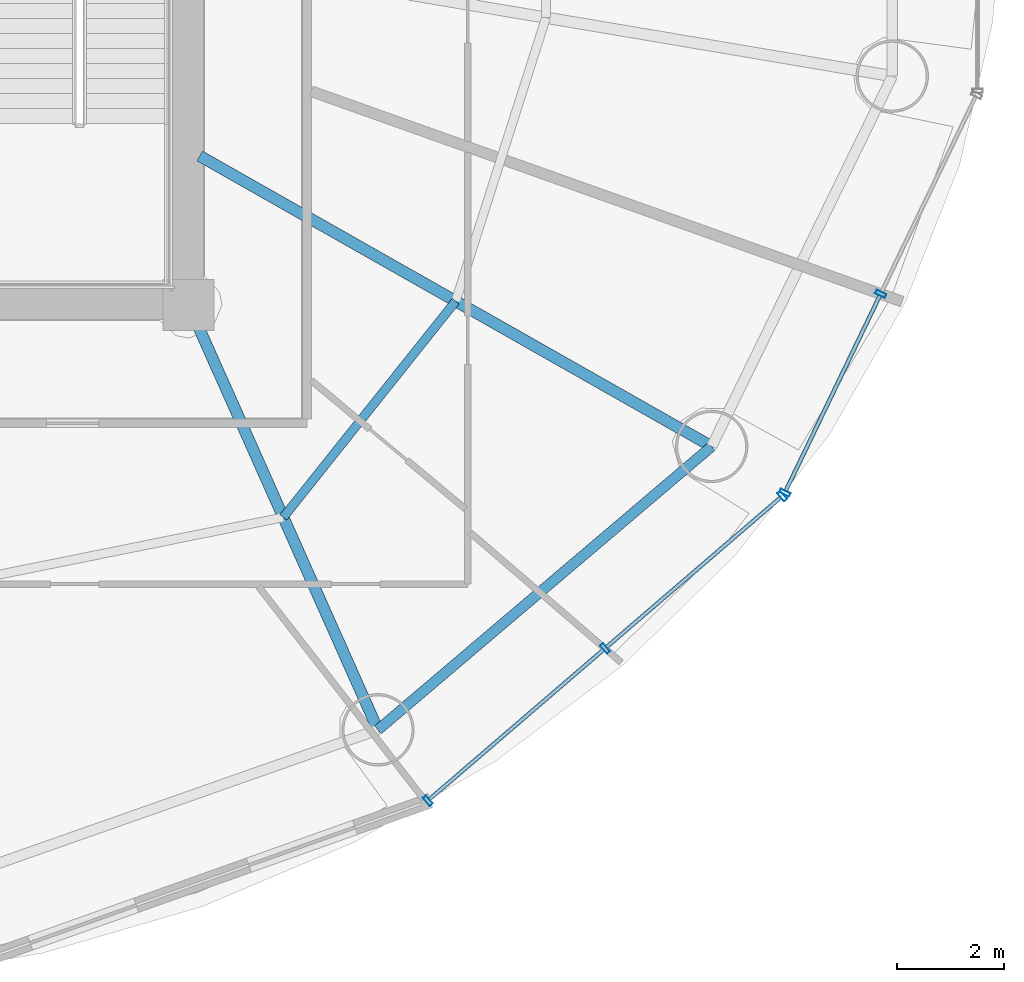
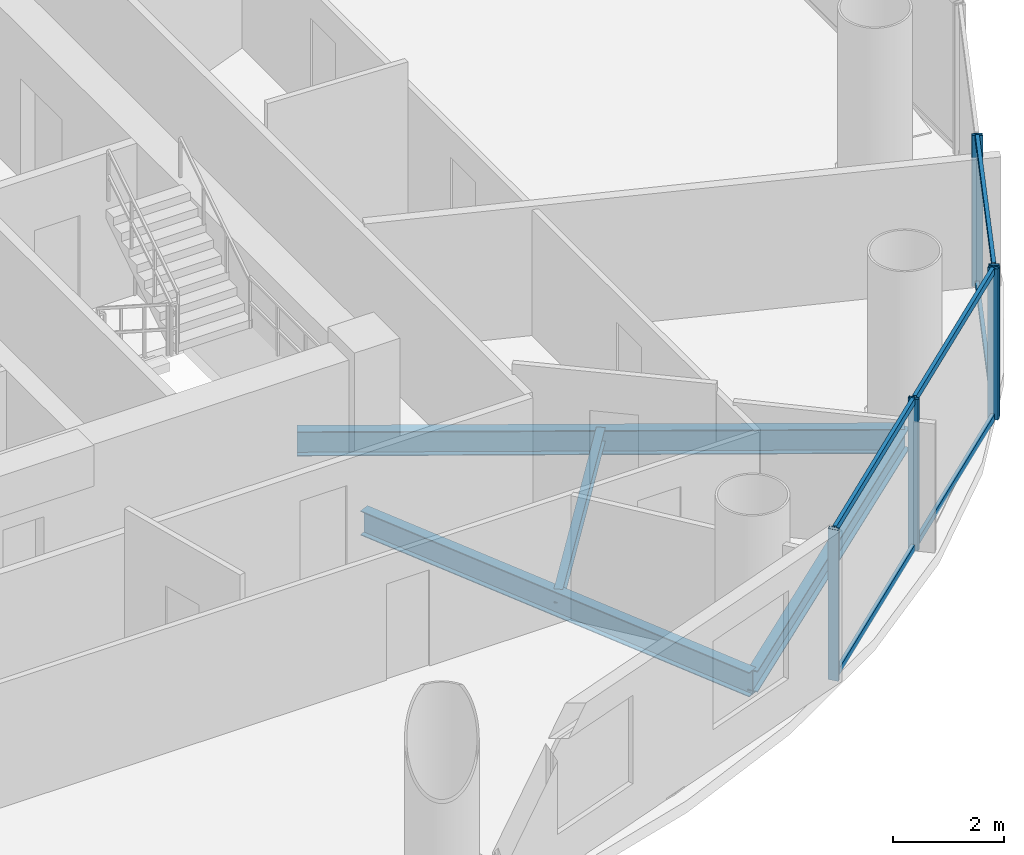
# One storey, part 10 of 26: 11 members, 4 beams, 2 elements without a shape of their own.
"""IFC4 building model written with IfcOpenShell, lengths in metres."""

import ifcopenshell
import ifcopenshell.guid

model = None  # the IFC model being written
_history = None  # IfcOwnerHistory: only IFC2X3 demands one
_inside = {}  # id of a spatial element -> (the spatial element, [elements in it])
_under = {}  # id of a project, library or spatial element -> (it, [spatial elements below it])
_declared = {}  # id of a project -> (the project, [libraries it declares])
_typed = {}  # id of a type object -> (the type object, [elements of that type])
_made_of = {}  # id of a material, layer set ... -> (it, [elements and type objects made of it])


def new_model(schema):
    """Start an empty IFC model of exactly this schema.

    Asked for "IFC4X3", IfcOpenShell would pick the latest addendum, in which some entities
    have other attributes; the version numbers below select the first issue.
    IFC2X3 requires an IfcOwnerHistory on every rooted entity: one is made here for all.
    """
    global model, _history
    if schema == "IFC4X3":
        model = ifcopenshell.file(schema_version=(4, 3, 0, 0))
    else:
        model = ifcopenshell.file(schema=schema)
    _inside.clear()
    _under.clear()
    _declared.clear()
    _typed.clear()
    _made_of.clear()
    _history = None
    if model.schema == "IFC2X3":
        org = make("IfcOrganization", Name="unknown")
        user = make(
            "IfcPersonAndOrganization",
            ThePerson=make("IfcPerson", FamilyName="unknown"),
            TheOrganization=org,
        )
        app = make(
            "IfcApplication",
            ApplicationDeveloper=org,
            Version="unknown",
            ApplicationFullName="unknown",
            ApplicationIdentifier="unknown",
        )
        _history = make(
            "IfcOwnerHistory",
            OwningUser=user,
            OwningApplication=app,
            ChangeAction="ADDED",
            CreationDate=0,
        )
    return model


def make(cls, **values):
    """One entity of the class cls with the attributes given. An attribute that is None is left unset."""
    return model.create_entity(
        cls, **{name: value for name, value in values.items() if value is not None}
    )


def rooted(cls, **values):
    """An entity with a GlobalId (a new one), such as an element, a storey or a relation."""
    return make(cls, GlobalId=ifcopenshell.guid.new(), OwnerHistory=_history, **values)


def si_unit(unit_type, name, prefix=None):
    """IfcSIUnit, for example si_unit("LENGTHUNIT", "METRE", prefix="MILLI")."""
    return make("IfcSIUnit", UnitType=unit_type, Prefix=prefix, Name=name)


def assignment(units):
    """IfcUnitAssignment: the units of a project."""
    return None if units is None else make("IfcUnitAssignment", Units=units)


def point(xyz):
    """IfcCartesianPoint."""
    return None if xyz is None else make("IfcCartesianPoint", Coordinates=xyz)


def direction(xyz):
    """IfcDirection."""
    return None if xyz is None else make("IfcDirection", DirectionRatios=xyz)


def frame(location, z_axis=None, x_axis=None):
    """IfcAxis2Placement3D, a coordinate frame: its origin and axes. An axis left out is left unset."""
    return make(
        "IfcAxis2Placement3D",
        Location=point(location),
        Axis=direction(z_axis),
        RefDirection=direction(x_axis),
    )


def frame_2d(location, x_axis=None):
    """IfcAxis2Placement2D, a coordinate frame in the plane: its origin and x axis."""
    return make(
        "IfcAxis2Placement2D", Location=point(location), RefDirection=direction(x_axis)
    )


def origin():
    """The frame at (0, 0, 0) with its axes left unset."""
    return frame((0.0, 0.0, 0.0))


def origin_2d():
    """The frame at (0, 0) in the plane with its x axis left unset."""
    return frame_2d((0.0, 0.0))


def place(relative_to, where):
    """IfcLocalPlacement: puts the frame where relative to a parent placement (None: the world)."""
    return make(
        "IfcLocalPlacement", PlacementRelTo=relative_to, RelativePlacement=where
    )


def context(
    kind, dimensions, precision=None, world=None, true_north=None, identifier=None
):
    """IfcGeometricRepresentationContext, for example the 3D "Model" context."""
    return make(
        "IfcGeometricRepresentationContext",
        ContextIdentifier=identifier,
        ContextType=kind,
        CoordinateSpaceDimension=dimensions,
        Precision=precision,
        WorldCoordinateSystem=world,
        TrueNorth=true_north,
    )


def subcontext(parent, identifier, kind, view, scale=None):
    """IfcGeometricRepresentationSubContext, for example "Body" below "Model"."""
    return make(
        "IfcGeometricRepresentationSubContext",
        ContextIdentifier=identifier,
        ContextType=kind,
        ParentContext=parent,
        TargetScale=scale,
        TargetView=view,
    )


def project(units=None, contexts=None):
    """IfcProject with its units and contexts."""
    return rooted(
        "IfcProject",
        Name="project",
        RepresentationContexts=contexts,
        UnitsInContext=assignment(units),
    )


def spatial(cls, under=None, at=None, **own):
    """A site, building, storey or space (cls), placed at a placement, below another one or the project."""
    s = rooted(cls, ObjectPlacement=at, **own)
    if under is not None:
        _under.setdefault(under.id(), (under, []))[1].append(s)
    return s


def profile(cls, at=None, kind="AREA", **sizes):
    """A parametric profile (cls). Its sizes go by their IFC names, for example OverallWidth=200.0."""
    return make(cls, ProfileType=kind, Position=at, **sizes)


def hollow_rectangle(**sizes):
    """IfcRectangleHollowProfileDef."""
    return profile("IfcRectangleHollowProfileDef", **sizes)


def i_section(**sizes):
    """IfcIShapeProfileDef."""
    return profile("IfcIShapeProfileDef", **sizes)


def extrude(swept, where, along, depth):
    """IfcExtrudedAreaSolid: the profile swept, set in the frame where, extruded along a direction by depth."""
    return make(
        "IfcExtrudedAreaSolid",
        SweptArea=swept,
        Position=where,
        ExtrudedDirection=direction(along),
        Depth=depth,
    )


def shape(context_of_items, identifier, shape_type, items):
    """IfcShapeRepresentation: the items that make up one representation, for example the "Body"."""
    return make(
        "IfcShapeRepresentation",
        ContextOfItems=context_of_items,
        RepresentationIdentifier=identifier,
        RepresentationType=shape_type,
        Items=items,
    )


def source(mapping_origin, context_of_items, identifier, shape_type, items):
    """IfcRepresentationMap: a shape defined once, which mapped items show again and again."""
    return make(
        "IfcRepresentationMap",
        MappingOrigin=mapping_origin,
        MappedRepresentation=shape(context_of_items, identifier, shape_type, items),
    )


def transform(
    local_origin,
    x_axis=None,
    y_axis=None,
    z_axis=None,
    scale=None,
    scale2=None,
    scale3=None,
    uniform=True,
):
    """IfcCartesianTransformationOperator3D, or its non-uniform kind. x_axis, y_axis, z_axis: its Axis1, 2, 3."""
    if uniform:
        return make(
            "IfcCartesianTransformationOperator3D",
            Axis1=direction(x_axis),
            Axis2=direction(y_axis),
            LocalOrigin=point(local_origin),
            Scale=scale,
            Axis3=direction(z_axis),
        )
    return make(
        "IfcCartesianTransformationOperator3DnonUniform",
        Axis1=direction(x_axis),
        Axis2=direction(y_axis),
        LocalOrigin=point(local_origin),
        Scale=scale,
        Axis3=direction(z_axis),
        Scale2=scale2,
        Scale3=scale3,
    )


def mapped(mapping_source, mapping_target):
    """IfcMappedItem: shows the shape of a source again, moved by a transform."""
    return make(
        "IfcMappedItem", MappingSource=mapping_source, MappingTarget=mapping_target
    )


def material(Name=None, Category=None):
    """IfcMaterial."""
    return make("IfcMaterial", Name=Name, Category=Category)


def material_profile(
    of_material, cross_section, Name=None, Category=None, Priority=None
):
    """IfcMaterialProfile: a cross section and its material."""
    return make(
        "IfcMaterialProfile",
        Name=Name,
        Material=of_material,
        Profile=cross_section,
        Priority=Priority,
        Category=Category,
    )


def profile_set(profiles, Name=None, composite=None):
    """IfcMaterialProfileSet."""
    return make(
        "IfcMaterialProfileSet",
        Name=Name,
        MaterialProfiles=profiles,
        CompositeProfile=composite,
    )


def made_of(thing, what):
    """Note that an element or type object is made of a material, layer set ...; save() writes the relation."""
    if what is not None:
        _made_of.setdefault(what.id(), (what, []))[1].append(thing)
    return thing


def type_object(cls, material=None, **own):
    """A type object (cls), such as IfcWallType, which elements share."""
    return made_of(rooted(cls, **own), material)


def element(
    cls,
    number,
    at=None,
    inside=None,
    cuts=None,
    type_object=None,
    material=None,
    context=None,
    identifier="Body",
    shape_type=None,
    held_by="IfcProductDefinitionShape",
    body=None,
    shapes=None,
    **own,
):
    """One element of the class cls, such as IfcWall. Its Tag is "e" and its number.

    at: its placement. inside: the storey or other place that contains it. cuts: it is an
    opening in that element (IfcRelVoidsElement). A single representation is given by context,
    identifier, shape_type and body (its items); several are given by shapes. held_by: the class
    of the entity that holds the representations. save() writes the other relations.
    """
    e = rooted(cls, Tag="e%d" % number, ObjectPlacement=at, **own)
    if body is not None:
        shapes = [shape(context, identifier, shape_type, body)]
    if shapes is not None:
        e.Representation = make(held_by, Representations=shapes)
    if inside is not None:
        _inside.setdefault(inside.id(), (inside, []))[1].append(e)
    if cuts is not None:
        rooted(
            "IfcRelVoidsElement", RelatingBuildingElement=cuts, RelatedOpeningElement=e
        )
    if type_object is not None:
        _typed.setdefault(type_object.id(), (type_object, []))[1].append(e)
    return made_of(e, material)


def aggregate(whole, parts):
    """IfcRelAggregates: a whole, such as a stair, and the parts it consists of."""
    return rooted("IfcRelAggregates", RelatingObject=whole, RelatedObjects=parts)


def save(model, path):
    """Write the relations noted so far, then the file.

    IfcRelAggregates (storeys below a building ...), IfcRelContainedInSpatialStructure (elements
    in a storey), IfcRelDefinesByType, IfcRelAssociatesMaterial and IfcRelDeclares: one each for
    every whole, place, type object, material and project.
    """
    for whole, parts in _under.values():
        aggregate(whole, parts)
    for where, things in _inside.values():
        rooted(
            "IfcRelContainedInSpatialStructure",
            RelatedElements=things,
            RelatingStructure=where,
        )
    for kind, things in _typed.values():
        rooted("IfcRelDefinesByType", RelatedObjects=things, RelatingType=kind)
    for what, things in _made_of.values():
        rooted("IfcRelAssociatesMaterial", RelatedObjects=things, RelatingMaterial=what)
    for by, libraries in _declared.values():
        rooted("IfcRelDeclares", RelatingContext=by, RelatedDefinitions=libraries)
    model.write(path)


model = new_model("IFC4")

# Units and contexts
model_context = context("Model", 3, precision=1e-05, world=origin(), true_north=direction((-0.2419218956, 0.970295726276)))
body_context = subcontext(model_context, "Body", "Model", "MODEL_VIEW")
ifc_project = project(units=[si_unit("LENGTHUNIT", "METRE"), si_unit("AREAUNIT", "SQUARE_METRE"), si_unit("VOLUMEUNIT", "CUBIC_METRE"), si_unit("PLANEANGLEUNIT", "RADIAN"), si_unit("MASSUNIT", "GRAM", prefix="KILO")], contexts=[model_context])

# Site, building, storey
site_placement = place(None, origin())
site = spatial("IfcSite", under=ifc_project, at=site_placement, CompositionType="ELEMENT")
building_placement = place(site_placement, origin())
building = spatial("IfcBuilding", under=site, at=building_placement, Name="Cobrevalo Terracotta Tower", CompositionType="ELEMENT")
storey_placement = place(building_placement, frame((0.0, 0.0, 178.60009765625)))
storey = spatial("IfcBuildingStorey", under=building, at=storey_placement, Name="L47", CompositionType="ELEMENT", Elevation=178.60009765625)

# Beams
ifc_material_1 = material(Name="Steel S355", Category="steel")
ifc_material_profile_1 = material_profile(ifc_material_1, i_section(OverallWidth=0.2109375, OverallDepth=0.5390625, WebThickness=0.01171875, FlangeThickness=0.018798828125, at=origin_2d()), Name="W 530x109")
ifc_profile_set_1 = profile_set([ifc_material_profile_1], Name="Steel S355")
beam_type_1 = type_object("IfcBeamType", Name="Structural Beam W 530x109 (Steel S355)", PredefinedType="BEAM", material=ifc_profile_set_1)
beam_1_placement = place(storey_placement, frame((50.528076171875, 10.87744140625, -0.53955078125), z_axis=(-0.406804395691, 0.913515289224, 0.0), x_axis=(-0.913515289224, -0.406804395691, 0.0)))
element("IfcBeam", 1, at=beam_1_placement, inside=storey, type_object=beam_type_1, Name="L47 radial floor girder 14", PredefinedType="BEAM", context=body_context, shape_type="SweptSolid", body=[
    extrude(i_section(OverallWidth=0.2109375, OverallDepth=0.5390625, WebThickness=0.01171875, FlangeThickness=0.018798828125, at=origin_2d()), origin(), (0.0, 0.0, 1.0), 8.672607421875),
])
beam_2_placement = place(storey_placement, frame((56.749755859375, 16.160888671875, -0.53955078125), z_axis=(-0.869743726706, 0.493503647257, 0.0), x_axis=(-0.493503647257, -0.869743726706, 0.0)))
element("IfcBeam", 2, at=beam_2_placement, inside=storey, type_object=beam_type_1, Name="L47 radial floor girder 15", PredefinedType="BEAM", context=body_context, shape_type="SweptSolid", body=[
    extrude(i_section(OverallWidth=0.2109375, OverallDepth=0.5390625, WebThickness=0.01171875, FlangeThickness=0.018798828125, at=origin_2d()), origin(), (0.0, 0.0, 1.0), 10.97412109375),
])
ifc_material_profile_2 = material_profile(ifc_material_1, i_section(OverallWidth=0.1650390625, OverallDepth=0.31005859375, WebThickness=0.005859375, FlangeThickness=0.009765625, at=origin_2d()), Name="W 310x38.7")
ifc_profile_set_2 = profile_set([ifc_material_profile_2], Name="Steel S355")
beam_type_2 = type_object("IfcBeamType", Name="Structural Joist W 310x38.7 (Steel S355)", PredefinedType="JOIST", material=ifc_profile_set_2)
beam_3_placement = place(storey_placement, frame((48.76416015625, 14.838623046875, -0.425048828125), z_axis=(0.623382939397, 0.781916690492, 0.0), x_axis=(-0.781916690492, 0.623382939397, 0.0)))
element("IfcBeam", 3, at=beam_3_placement, inside=storey, type_object=beam_type_2, Name="L47 circumferential secondary floor joist 14", PredefinedType="JOIST", context=body_context, shape_type="SweptSolid", body=[
    extrude(i_section(OverallWidth=0.1650390625, OverallDepth=0.31005859375, WebThickness=0.005859375, FlangeThickness=0.009765625, at=origin_2d()), origin(), (0.0, 0.0, 1.0), 5.154296875),
])
ifc_material_profile_3 = material_profile(ifc_material_1, i_section(OverallWidth=0.194091796875, OverallDepth=0.468994140625, WebThickness=0.011474609375, FlangeThickness=0.0205078125, at=origin_2d()), Name="W 460x106")
ifc_profile_set_3 = profile_set([ifc_material_profile_3], Name="Steel S355")
beam_type_3 = type_object("IfcBeamType", Name="Structural Spandrel W 460x106 (Steel S355)", PredefinedType="SPANDREL", material=ifc_profile_set_3)
beam_4_placement = place(storey_placement, frame((50.528076171875, 10.87744140625, -0.504638671875), z_axis=(0.762240337798, 0.647294112003, 0.0), x_axis=(-0.647294112003, 0.762240337798, 0.0)))
element("IfcBeam", 4, at=beam_4_placement, inside=storey, type_object=beam_type_3, Name="L47 perimeter ring spandrel 14", PredefinedType="SPANDREL", context=body_context, shape_type="SweptSolid", body=[
    extrude(i_section(OverallWidth=0.194091796875, OverallDepth=0.468994140625, WebThickness=0.011474609375, FlangeThickness=0.0205078125, at=origin_2d()), origin(), (0.0, 0.0, 1.0), 8.162353515625),
])

# Curtain wall, members
ifc_material_2 = material(Name="Anodized aluminium", Category="aluminium")
curtain_wall_type = type_object("IfcCurtainWallType", Name="Mid-tower high-wind unitised curtain wall CW-U2", PredefinedType="NOTDEFINED", material=ifc_material_2)
curtain_wall_1_placement = place(storey_placement, origin())
curtain_wall_1 = element("IfcCurtainWall", 5, at=curtain_wall_1_placement, inside=storey, type_object=curtain_wall_type, Name="L47 curtain wall CW-L47-S14", PredefinedType="NOTDEFINED")
ifc_material_profile_4 = material_profile(ifc_material_2, hollow_rectangle(XDim=0.074951171875, YDim=0.14990234375, WallThickness=0.00439453125, at=origin_2d()), Name="CWT 75x150")
ifc_profile_set_4 = profile_set([ifc_material_profile_4], Name="Anodized aluminium")
member_type_1 = type_object("IfcMemberType", Name="Tower unitised aluminium transom 75x150", PredefinedType="USERDEFINED", material=ifc_profile_set_4)
shared_shape_1 = source(origin(), body_context, "Body", "SweptSolid", [
    extrude(hollow_rectangle(XDim=0.074951171875, YDim=0.14990234375, WallThickness=0.00439453125, at=origin_2d()), origin(), (0.0, 0.0, 1.0), 4.276123046875),
])
member_1_placement = place(storey_placement, frame((51.48876953125, 9.58251953125, 0.0498046875), z_axis=(0.758417719247, 0.651768795764, 0.0), x_axis=(-0.651768795764, 0.758417719247, 0.0)))
member_1 = element("IfcMember", 6, at=member_1_placement, type_object=member_type_1, Name="CW-L47-S14 transom B01-T1", ObjectType="TRANSOM", PredefinedType="USERDEFINED", context=body_context, shape_type="MappedRepresentation", body=[
    mapped(shared_shape_1, transform((0.0, 0.0, 0.0), scale=1.0)),
])
member_2_placement = place(storey_placement, frame((51.48876953125, 9.58251953125, 3.27978515625), z_axis=(0.758417719247, 0.651768795764, 0.0), x_axis=(-0.651768795764, 0.758417719247, 0.0)))
member_2 = element("IfcMember", 7, at=member_2_placement, type_object=member_type_1, Name="CW-L47-S14 transom B01-T2", ObjectType="TRANSOM", PredefinedType="USERDEFINED", context=body_context, shape_type="MappedRepresentation", body=[
    mapped(shared_shape_1, transform((0.0, 0.0, 0.0), scale=1.0)),
])
member_3_placement = place(storey_placement, frame((54.792724609375, 12.421630859375, 0.0498046875), z_axis=(0.758417719247, 0.651768795764, 0.0), x_axis=(-0.651768795764, 0.758417719247, 0.0)))
member_3 = element("IfcMember", 8, at=member_3_placement, type_object=member_type_1, Name="CW-L47-S14 transom B02-T1", ObjectType="TRANSOM", PredefinedType="USERDEFINED", context=body_context, shape_type="MappedRepresentation", body=[
    mapped(shared_shape_1, transform((0.0, 0.0, 0.0), scale=1.0)),
])
member_4_placement = place(storey_placement, frame((54.792724609375, 12.421630859375, 3.27978515625), z_axis=(0.758417719247, 0.651768795764, 0.0), x_axis=(-0.651768795764, 0.758417719247, 0.0)))
member_4 = element("IfcMember", 9, at=member_4_placement, type_object=member_type_1, Name="CW-L47-S14 transom B02-T2", ObjectType="TRANSOM", PredefinedType="USERDEFINED", context=body_context, shape_type="MappedRepresentation", body=[
    mapped(shared_shape_1, transform((0.0, 0.0, 0.0), scale=1.0)),
])

curtain_wall_2_placement = place(storey_placement, origin())
curtain_wall_2 = element("IfcCurtainWall", 10, at=curtain_wall_2_placement, inside=storey, type_object=curtain_wall_type, Name="L47 curtain wall CW-L47-S15", PredefinedType="NOTDEFINED")
shared_shape_2 = source(origin(), body_context, "Body", "SweptSolid", [
    extrude(hollow_rectangle(XDim=0.074951171875, YDim=0.14990234375, WallThickness=0.00439453125, at=origin_2d()), origin(), (0.0, 0.0, 1.0), 4.035888671875),
])
member_5_placement = place(storey_placement, frame((58.13134765625, 15.332763671875, 0.0498046875), z_axis=(0.434221176581, 0.900806288726, 0.0), x_axis=(-0.900806288726, 0.434221176581, 0.0)))
member_5 = element("IfcMember", 11, at=member_5_placement, type_object=member_type_1, Name="CW-L47-S15 transom B01-T1", ObjectType="TRANSOM", PredefinedType="USERDEFINED", context=body_context, shape_type="MappedRepresentation", body=[
    mapped(shared_shape_2, transform((0.0, 0.0, 0.0), scale=1.0)),
])
member_6_placement = place(storey_placement, frame((58.13134765625, 15.332763671875, 3.27978515625), z_axis=(0.434221176581, 0.900806288726, 0.0), x_axis=(-0.900806288726, 0.434221176581, 0.0)))
member_6 = element("IfcMember", 12, at=member_6_placement, type_object=member_type_1, Name="CW-L47-S15 transom B01-T2", ObjectType="TRANSOM", PredefinedType="USERDEFINED", context=body_context, shape_type="MappedRepresentation", body=[
    mapped(shared_shape_2, transform((0.0, 0.0, 0.0), scale=1.0)),
])

# Member
ifc_material_profile_5 = material_profile(ifc_material_2, hollow_rectangle(XDim=0.074951171875, YDim=0.199951171875, WallThickness=0.0048828125, at=origin_2d()), Name="CWM 75x200")
ifc_profile_set_5 = profile_set([ifc_material_profile_5], Name="Anodized aluminium")
member_type_2 = type_object("IfcMemberType", Name="Lower/mid tower unitised mullion 75x200", PredefinedType="MULLION", material=ifc_profile_set_5)
shared_shape_3 = source(origin(), body_context, "Body", "SweptSolid", [
    extrude(hollow_rectangle(XDim=0.074951171875, YDim=0.199951171875, WallThickness=0.0048828125, at=origin_2d()), origin(), (0.0, 0.0, 1.0), 3.329833984375),
])
member_7_placement = place(storey_placement, frame((51.45849609375, 9.556396484375, 0.0), z_axis=(0.0, 0.0, 1.0), x_axis=(0.758441546142, 0.65174106905, 0.0)))
member_7 = element("IfcMember", 13, at=member_7_placement, type_object=member_type_2, Name="CW-L47-S14 vertical mullion 01", PredefinedType="MULLION", context=body_context, shape_type="MappedRepresentation", body=[
    mapped(shared_shape_3, transform((0.0, 0.0, 0.0), scale=1.0)),
])

member_8_placement = place(storey_placement, frame((54.762451171875, 12.3955078125, 0.0), z_axis=(0.0, 0.0, 1.0), x_axis=(0.758441546142, 0.65174106905, 0.0)))
member_8 = element("IfcMember", 14, at=member_8_placement, type_object=member_type_2, Name="CW-L47-S14 vertical mullion 02", PredefinedType="MULLION", context=body_context, shape_type="MappedRepresentation", body=[
    mapped(shared_shape_3, transform((0.0, 0.0, 0.0), scale=1.0)),
])

member_9_placement = place(storey_placement, frame((58.066162109375, 15.234619140625, 0.0), z_axis=(0.0, 0.0, 1.0), x_axis=(0.758441546142, 0.65174106905, 0.0)))
member_9 = element("IfcMember", 15, at=member_9_placement, type_object=member_type_2, Name="CW-L47-S14 vertical mullion 03", PredefinedType="MULLION", context=body_context, shape_type="MappedRepresentation", body=[
    mapped(shared_shape_3, transform((0.0, 0.0, 0.0), scale=1.0)),
])

aggregate(curtain_wall_1, [member_7, member_8, member_9, member_1, member_2, member_3, member_4])

member_10_placement = place(storey_placement, frame((58.114013671875, 15.296875, 0.0), z_axis=(0.0, 0.0, 1.0), x_axis=(0.434209440271, 0.900811945957, 0.0)))
member_10 = element("IfcMember", 16, at=member_10_placement, type_object=member_type_2, Name="CW-L47-S15 vertical mullion 01", PredefinedType="MULLION", context=body_context, shape_type="MappedRepresentation", body=[
    mapped(shared_shape_3, transform((0.0, 0.0, 0.0), scale=1.0)),
])

member_11_placement = place(storey_placement, frame((59.901123046875, 19.00439453125, 0.0), z_axis=(0.0, 0.0, 1.0), x_axis=(0.434209440271, 0.900811945957, 0.0)))
member_11 = element("IfcMember", 17, at=member_11_placement, type_object=member_type_2, Name="CW-L47-S15 vertical mullion 02", PredefinedType="MULLION", context=body_context, shape_type="MappedRepresentation", body=[
    mapped(shared_shape_3, transform((0.0, 0.0, 0.0), scale=1.0)),
])

aggregate(curtain_wall_2, [member_10, member_11, member_5, member_6])

save(model, "model.ifc")
